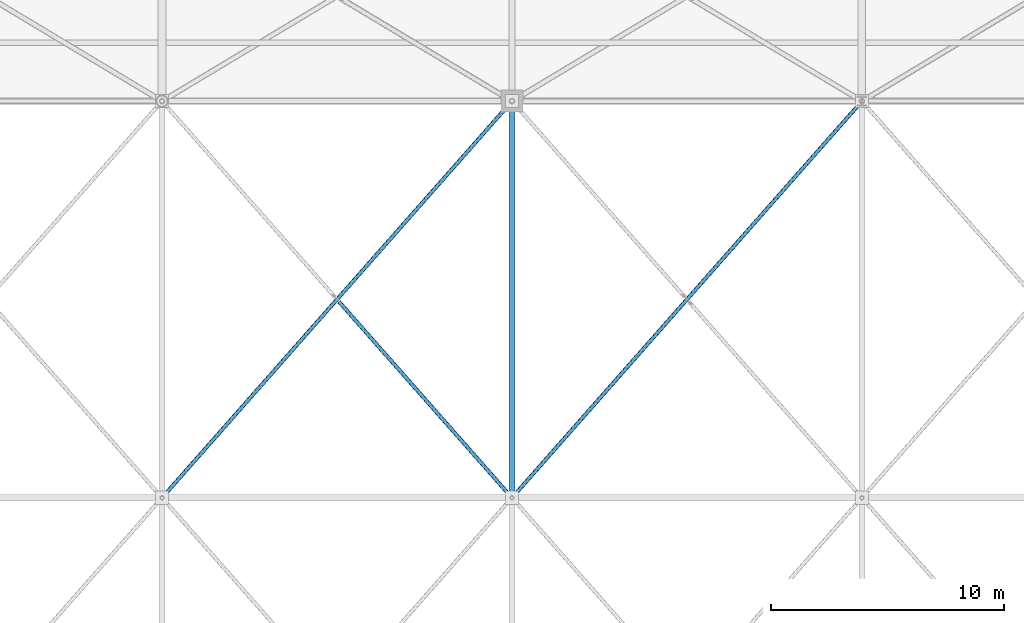
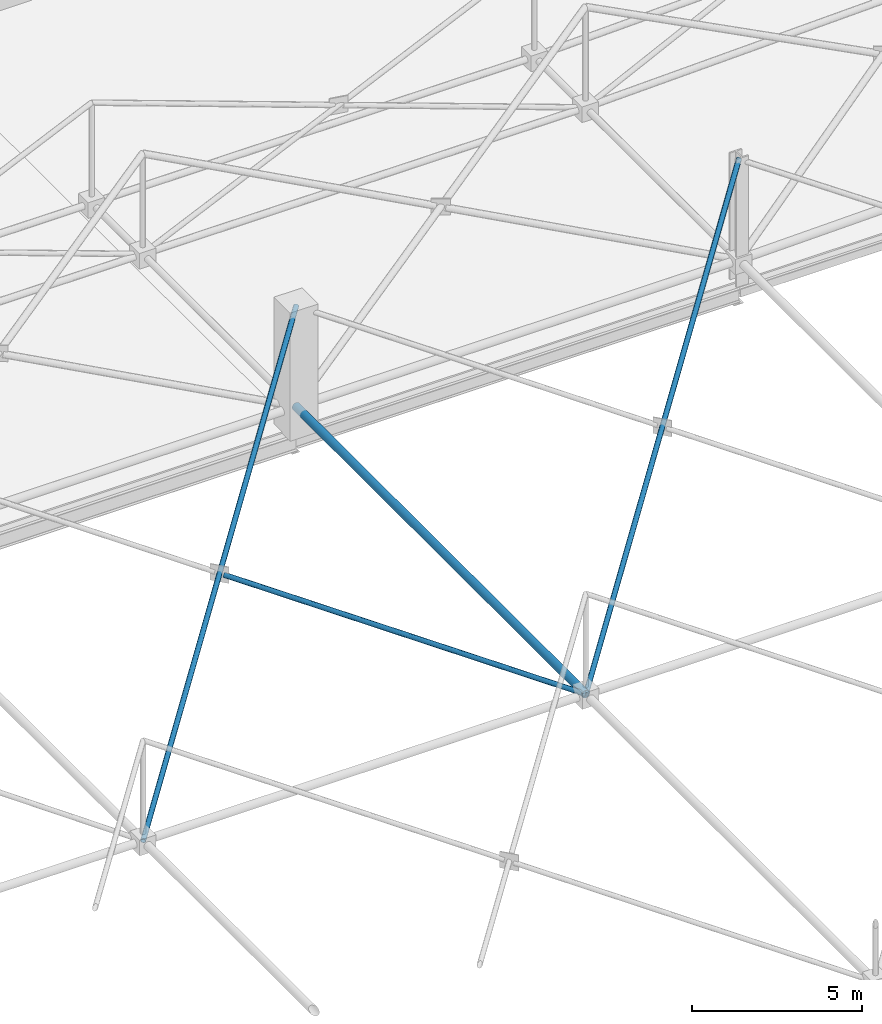
# One storey, part 100 of 224: 4 members.
"""IFC4 building model written with IfcOpenShell, lengths in metres."""

import ifcopenshell
import ifcopenshell.guid

model = None  # the IFC model being written
_history = None  # IfcOwnerHistory: only IFC2X3 demands one
_inside = {}  # id of a spatial element -> (the spatial element, [elements in it])
_under = {}  # id of a project, library or spatial element -> (it, [spatial elements below it])
_declared = {}  # id of a project -> (the project, [libraries it declares])
_typed = {}  # id of a type object -> (the type object, [elements of that type])
_made_of = {}  # id of a material, layer set ... -> (it, [elements and type objects made of it])


def new_model(schema):
    """Start an empty IFC model of exactly this schema.

    Asked for "IFC4X3", IfcOpenShell would pick the latest addendum, in which some entities
    have other attributes; the version numbers below select the first issue.
    IFC2X3 requires an IfcOwnerHistory on every rooted entity: one is made here for all.
    """
    global model, _history
    if schema == "IFC4X3":
        model = ifcopenshell.file(schema_version=(4, 3, 0, 0))
    else:
        model = ifcopenshell.file(schema=schema)
    _inside.clear()
    _under.clear()
    _declared.clear()
    _typed.clear()
    _made_of.clear()
    _history = None
    if model.schema == "IFC2X3":
        org = make("IfcOrganization", Name="unknown")
        user = make(
            "IfcPersonAndOrganization",
            ThePerson=make("IfcPerson", FamilyName="unknown"),
            TheOrganization=org,
        )
        app = make(
            "IfcApplication",
            ApplicationDeveloper=org,
            Version="unknown",
            ApplicationFullName="unknown",
            ApplicationIdentifier="unknown",
        )
        _history = make(
            "IfcOwnerHistory",
            OwningUser=user,
            OwningApplication=app,
            ChangeAction="ADDED",
            CreationDate=0,
        )
    return model


def make(cls, **values):
    """One entity of the class cls with the attributes given. An attribute that is None is left unset."""
    return model.create_entity(
        cls, **{name: value for name, value in values.items() if value is not None}
    )


def rooted(cls, **values):
    """An entity with a GlobalId (a new one), such as an element, a storey or a relation."""
    return make(cls, GlobalId=ifcopenshell.guid.new(), OwnerHistory=_history, **values)


def si_unit(unit_type, name, prefix=None):
    """IfcSIUnit, for example si_unit("LENGTHUNIT", "METRE", prefix="MILLI")."""
    return make("IfcSIUnit", UnitType=unit_type, Prefix=prefix, Name=name)


def assignment(units):
    """IfcUnitAssignment: the units of a project."""
    return None if units is None else make("IfcUnitAssignment", Units=units)


def point(xyz):
    """IfcCartesianPoint."""
    return None if xyz is None else make("IfcCartesianPoint", Coordinates=xyz)


def direction(xyz):
    """IfcDirection."""
    return None if xyz is None else make("IfcDirection", DirectionRatios=xyz)


def frame(location, z_axis=None, x_axis=None):
    """IfcAxis2Placement3D, a coordinate frame: its origin and axes. An axis left out is left unset."""
    return make(
        "IfcAxis2Placement3D",
        Location=point(location),
        Axis=direction(z_axis),
        RefDirection=direction(x_axis),
    )


def frame_2d(location, x_axis=None):
    """IfcAxis2Placement2D, a coordinate frame in the plane: its origin and x axis."""
    return make(
        "IfcAxis2Placement2D", Location=point(location), RefDirection=direction(x_axis)
    )


def origin():
    """The frame at (0, 0, 0) with its axes left unset."""
    return frame((0.0, 0.0, 0.0))


def origin_2d():
    """The frame at (0, 0) in the plane with its x axis left unset."""
    return frame_2d((0.0, 0.0))


def place(relative_to, where):
    """IfcLocalPlacement: puts the frame where relative to a parent placement (None: the world)."""
    return make(
        "IfcLocalPlacement", PlacementRelTo=relative_to, RelativePlacement=where
    )


def context(
    kind, dimensions, precision=None, world=None, true_north=None, identifier=None
):
    """IfcGeometricRepresentationContext, for example the 3D "Model" context."""
    return make(
        "IfcGeometricRepresentationContext",
        ContextIdentifier=identifier,
        ContextType=kind,
        CoordinateSpaceDimension=dimensions,
        Precision=precision,
        WorldCoordinateSystem=world,
        TrueNorth=true_north,
    )


def subcontext(parent, identifier, kind, view, scale=None):
    """IfcGeometricRepresentationSubContext, for example "Body" below "Model"."""
    return make(
        "IfcGeometricRepresentationSubContext",
        ContextIdentifier=identifier,
        ContextType=kind,
        ParentContext=parent,
        TargetScale=scale,
        TargetView=view,
    )


def project(units=None, contexts=None):
    """IfcProject with its units and contexts."""
    return rooted(
        "IfcProject",
        Name="project",
        RepresentationContexts=contexts,
        UnitsInContext=assignment(units),
    )


def spatial(cls, under=None, at=None, **own):
    """A site, building, storey or space (cls), placed at a placement, below another one or the project."""
    s = rooted(cls, ObjectPlacement=at, **own)
    if under is not None:
        _under.setdefault(under.id(), (under, []))[1].append(s)
    return s


def profile(cls, at=None, kind="AREA", **sizes):
    """A parametric profile (cls). Its sizes go by their IFC names, for example OverallWidth=200.0."""
    return make(cls, ProfileType=kind, Position=at, **sizes)


def hollow_circle(**sizes):
    """IfcCircleHollowProfileDef."""
    return profile("IfcCircleHollowProfileDef", **sizes)


def extrude(swept, where, along, depth):
    """IfcExtrudedAreaSolid: the profile swept, set in the frame where, extruded along a direction by depth."""
    return make(
        "IfcExtrudedAreaSolid",
        SweptArea=swept,
        Position=where,
        ExtrudedDirection=direction(along),
        Depth=depth,
    )


def shape(context_of_items, identifier, shape_type, items):
    """IfcShapeRepresentation: the items that make up one representation, for example the "Body"."""
    return make(
        "IfcShapeRepresentation",
        ContextOfItems=context_of_items,
        RepresentationIdentifier=identifier,
        RepresentationType=shape_type,
        Items=items,
    )


def material(Name=None, Category=None):
    """IfcMaterial."""
    return make("IfcMaterial", Name=Name, Category=Category)


def material_profile(
    of_material, cross_section, Name=None, Category=None, Priority=None
):
    """IfcMaterialProfile: a cross section and its material."""
    return make(
        "IfcMaterialProfile",
        Name=Name,
        Material=of_material,
        Profile=cross_section,
        Priority=Priority,
        Category=Category,
    )


def profile_set(profiles, Name=None, composite=None):
    """IfcMaterialProfileSet."""
    return make(
        "IfcMaterialProfileSet",
        Name=Name,
        MaterialProfiles=profiles,
        CompositeProfile=composite,
    )


def made_of(thing, what):
    """Note that an element or type object is made of a material, layer set ...; save() writes the relation."""
    if what is not None:
        _made_of.setdefault(what.id(), (what, []))[1].append(thing)
    return thing


def type_object(cls, material=None, **own):
    """A type object (cls), such as IfcWallType, which elements share."""
    return made_of(rooted(cls, **own), material)


def element(
    cls,
    number,
    at=None,
    inside=None,
    cuts=None,
    type_object=None,
    material=None,
    context=None,
    identifier="Body",
    shape_type=None,
    held_by="IfcProductDefinitionShape",
    body=None,
    shapes=None,
    **own,
):
    """One element of the class cls, such as IfcWall. Its Tag is "e" and its number.

    at: its placement. inside: the storey or other place that contains it. cuts: it is an
    opening in that element (IfcRelVoidsElement). A single representation is given by context,
    identifier, shape_type and body (its items); several are given by shapes. held_by: the class
    of the entity that holds the representations. save() writes the other relations.
    """
    e = rooted(cls, Tag="e%d" % number, ObjectPlacement=at, **own)
    if body is not None:
        shapes = [shape(context, identifier, shape_type, body)]
    if shapes is not None:
        e.Representation = make(held_by, Representations=shapes)
    if inside is not None:
        _inside.setdefault(inside.id(), (inside, []))[1].append(e)
    if cuts is not None:
        rooted(
            "IfcRelVoidsElement", RelatingBuildingElement=cuts, RelatedOpeningElement=e
        )
    if type_object is not None:
        _typed.setdefault(type_object.id(), (type_object, []))[1].append(e)
    return made_of(e, material)


def aggregate(whole, parts):
    """IfcRelAggregates: a whole, such as a stair, and the parts it consists of."""
    return rooted("IfcRelAggregates", RelatingObject=whole, RelatedObjects=parts)


def save(model, path):
    """Write the relations noted so far, then the file.

    IfcRelAggregates (storeys below a building ...), IfcRelContainedInSpatialStructure (elements
    in a storey), IfcRelDefinesByType, IfcRelAssociatesMaterial and IfcRelDeclares: one each for
    every whole, place, type object, material and project.
    """
    for whole, parts in _under.values():
        aggregate(whole, parts)
    for where, things in _inside.values():
        rooted(
            "IfcRelContainedInSpatialStructure",
            RelatedElements=things,
            RelatingStructure=where,
        )
    for kind, things in _typed.values():
        rooted("IfcRelDefinesByType", RelatedObjects=things, RelatingType=kind)
    for what, things in _made_of.values():
        rooted("IfcRelAssociatesMaterial", RelatedObjects=things, RelatingMaterial=what)
    for by, libraries in _declared.values():
        rooted("IfcRelDeclares", RelatingContext=by, RelatedDefinitions=libraries)
    model.write(path)


model = new_model("IFC4")

# Units and contexts
model_context = context("Model", 3, precision=1e-05, world=origin(), true_north=direction((0.0, 1.0)))
body_context = subcontext(model_context, "Body", "Model", "MODEL_VIEW")
ifc_project = project(units=[si_unit("LENGTHUNIT", "METRE"), si_unit("AREAUNIT", "SQUARE_METRE"), si_unit("VOLUMEUNIT", "CUBIC_METRE"), si_unit("PLANEANGLEUNIT", "RADIAN"), si_unit("MASSUNIT", "GRAM", prefix="KILO")], contexts=[model_context])

# Site, building, storey
site_placement = place(None, origin())
site = spatial("IfcSite", under=ifc_project, at=site_placement, CompositionType="ELEMENT")
building_placement = place(site_placement, origin())
building = spatial("IfcBuilding", under=site, at=building_placement, Name="Qamarlyn Nura Convention Centre", CompositionType="ELEMENT")
storey_placement = place(building_placement, frame((0.0, 0.0, 10.800048828125)))
storey = spatial("IfcBuildingStorey", under=building, at=storey_placement, Name="L02", CompositionType="ELEMENT", Elevation=10.800048828125)

# Members
ifc_material = material(Name="Pearl-white PVDF steel ASTM A500 Grade C", Category="steel")
ifc_material_profile_1 = material_profile(ifc_material, hollow_circle(Radius=0.136474609375, WallThickness=0.012451171875, at=origin_2d()), Name="CHS273X12.5")
ifc_profile_set_1 = profile_set([ifc_material_profile_1], Name="Pearl-white PVDF steel ASTM A500 Grade C")
member_type_1 = type_object("IfcMemberType", Name="SF-BC-MAIN", PredefinedType="CHORD", material=ifc_profile_set_1)
member_1_placement = place(storey_placement, frame((60.0, 86.0, 0.800048828125), z_axis=(0.0, 1.0, 0.0), x_axis=(-1.0, 0.0, 0.0)))
element("IfcMember", 1, at=member_1_placement, inside=storey, type_object=member_type_1, Name="ROOF TRUSS space frame bottom chord Y6-6", PredefinedType="CHORD", context=body_context, shape_type="SweptSolid", body=[
    extrude(hollow_circle(Radius=0.136474609375, WallThickness=0.012451171875, at=origin_2d()), origin(), (0.0, 0.0, 1.0), 17.0),
])
ifc_material_profile_2 = material_profile(ifc_material, hollow_circle(Radius=0.084228515625, WallThickness=0.008056640625, at=origin_2d()), Name="CHS168.3X8")
ifc_profile_set_2 = profile_set([ifc_material_profile_2], Name="Pearl-white PVDF steel ASTM A500 Grade C")
member_type_2 = type_object("IfcMemberType", Name="SF-WEB-STD", PredefinedType="BRACE", material=ifc_profile_set_2)
member_2_placement = place(storey_placement, frame((45.0, 86.0, 0.800048828125), z_axis=(0.653435715467, 0.74056047753, 0.156818190504), x_axis=(-0.749837855365, 0.661621637087, 0.0)))
element("IfcMember", 2, at=member_2_placement, inside=storey, type_object=member_type_2, Name="ROOF TRUSS space frame diagonal A 5-6", PredefinedType="BRACE", context=body_context, shape_type="SweptSolid", body=[
    extrude(hollow_circle(Radius=0.084228515625, WallThickness=0.008056640625, at=origin_2d()), origin(), (0.0, 0.0, 1.0), 22.95556640625),
])
member_3_placement = place(storey_placement, frame((60.0, 86.0, 0.800048828125), z_axis=(-0.653436826791, 0.740561737029, 0.156807611557), x_axis=(-0.749837855365, -0.661621637087, 0.0)))
element("IfcMember", 3, at=member_3_placement, inside=storey, type_object=member_type_2, Name="ROOF TRUSS space frame split diagonal B1 5-6", PredefinedType="BRACE", context=body_context, shape_type="SweptSolid", body=[
    extrude(hollow_circle(Radius=0.084228515625, WallThickness=0.008056640625, at=origin_2d()), origin(), (0.0, 0.0, 1.0), 11.337646484375),
])
member_4_placement = place(storey_placement, frame((60.0, 86.0, 0.800048828125), z_axis=(0.653435715467, 0.74056047753, 0.156818190504), x_axis=(-0.749837855365, 0.661621637087, 0.0)))
element("IfcMember", 4, at=member_4_placement, inside=storey, type_object=member_type_2, Name="ROOF TRUSS space frame diagonal A 6-6", PredefinedType="BRACE", context=body_context, shape_type="SweptSolid", body=[
    extrude(hollow_circle(Radius=0.084228515625, WallThickness=0.008056640625, at=origin_2d()), origin(), (0.0, 0.0, 1.0), 22.95556640625),
])

save(model, "model.ifc")
